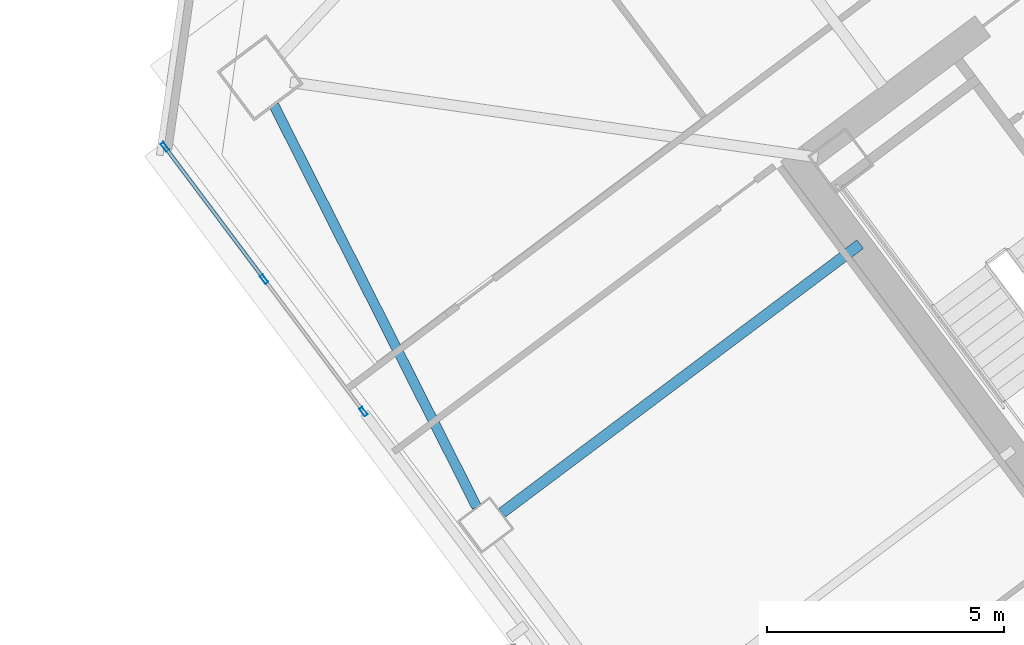
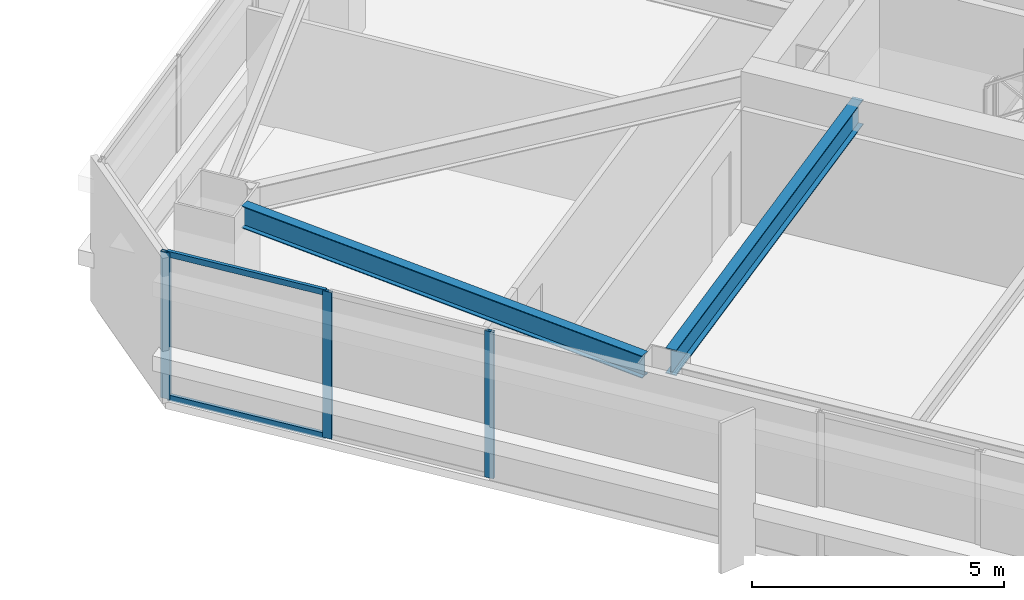
# One storey, part 23 of 48: 5 members, 2 beams, 1 element without a shape of its own.
"""IFC4 building model written with IfcOpenShell, lengths in metres."""

from ifc_helpers import new_model, si_unit, direction, frame, origin, origin_2d, place, context, subcontext, project, spatial, hollow_rectangle, i_section, extrude, material, material_profile, profile_set, type_object, element, aggregate, save


model = new_model("IFC4")

# Units and contexts
model_context = context("Model", 3, precision=1e-05, world=origin(), true_north=direction((0.0, 1.0)))
body_context = subcontext(model_context, "Body", "Model", "MODEL_VIEW")
ifc_project = project(units=[si_unit("LENGTHUNIT", "METRE"), si_unit("AREAUNIT", "SQUARE_METRE"), si_unit("VOLUMEUNIT", "CUBIC_METRE"), si_unit("PLANEANGLEUNIT", "RADIAN"), si_unit("MASSUNIT", "GRAM", prefix="KILO")], contexts=[model_context])

# Site, building, storey
site_placement = place(None, origin())
site = spatial("IfcSite", under=ifc_project, at=site_placement, CompositionType="ELEMENT")
building_placement = place(site_placement, origin())
building = spatial("IfcBuilding", under=site, at=building_placement, Name="Tashvorn Skyway Center", CompositionType="ELEMENT")
storey_placement = place(building_placement, frame((0.0, 0.0, 125.050048828125)))
storey = spatial("IfcBuildingStorey", under=building, at=storey_placement, Name="L33", CompositionType="ELEMENT", Elevation=125.050048828125)

# Beams
ifc_material_1 = material(Name="Steel ASTM A992 Grade 50", Category="steel")
ifc_material_profile_1 = material_profile(ifc_material_1, i_section(OverallWidth=0.22998046875, OverallDepth=0.616943359375, WebThickness=0.01318359375, FlangeThickness=0.022216796875, at=origin_2d()), Name="W24X94")
ifc_profile_set_1 = profile_set([ifc_material_profile_1], Name="Steel ASTM A992 Grade 50")
beam_type_1 = type_object("IfcBeamType", Name="BM-BEAM-W24X94", PredefinedType="BEAM", material=ifc_profile_set_1)
beam_1_placement = place(storey_placement, frame((96.97607421875, 25.98193359375, 3.0615234375), z_axis=(0.799984498661, 0.600020667896, 0.0), x_axis=(-0.600020667896, 0.799984498661, 0.0)))
element("IfcBeam", 1, at=beam_1_placement, inside=storey, type_object=beam_type_1, Name="Tower 2 L33 Primary Floor Girder FC-W1", PredefinedType="BEAM", context=body_context, shape_type="SweptSolid", body=[
    extrude(i_section(OverallWidth=0.22998046875, OverallDepth=0.616943359375, WebThickness=0.01318359375, FlangeThickness=0.022216796875, at=origin_2d()), origin(), (0.0, 0.0, 1.0), 9.449951171875),
])
ifc_material_profile_2 = material_profile(ifc_material_1, i_section(OverallWidth=0.2109375, OverallDepth=0.5390625, WebThickness=0.01171875, FlangeThickness=0.018798828125, at=origin_2d()), Name="W21X73")
ifc_profile_set_2 = profile_set([ifc_material_profile_2], Name="Steel ASTM A992 Grade 50")
beam_type_2 = type_object("IfcBeamType", Name="BM-SPANDREL-W21X73", PredefinedType="SPANDREL", material=ifc_profile_set_2)
beam_2_placement = place(storey_placement, frame((92.170654296875, 34.584228515625, 3.100341796875), z_axis=(0.450613543136, -0.892719124217, 0.0), x_axis=(0.892719124217, 0.450613543136, 0.0)))
element("IfcBeam", 2, at=beam_2_placement, inside=storey, type_object=beam_type_2, Name="Tower 2 L33 Spandrel Beam 10", PredefinedType="SPANDREL", context=body_context, shape_type="SweptSolid", body=[
    extrude(i_section(OverallWidth=0.2109375, OverallDepth=0.5390625, WebThickness=0.01171875, FlangeThickness=0.018798828125, at=origin_2d()), origin(), (0.0, 0.0, 1.0), 9.498291015625),
])

# Curtain wall, members
ifc_material_2 = material(Name="Thermally broken bronze-anodized aluminium 6063-T6", Category="aluminium")
curtain_wall_type = type_object("IfcCurtainWallType", Name="CW-CW-Z3", PredefinedType="NOTDEFINED", material=ifc_material_2)
curtain_wall_placement = place(storey_placement, origin())
curtain_wall = element("IfcCurtainWall", 3, at=curtain_wall_placement, inside=storey, type_object=curtain_wall_type, Name="Tower 2 L33 West Unitised Curtain Wall Glazing Group 3", PredefinedType="NOTDEFINED")
ifc_material_profile_3 = material_profile(ifc_material_2, hollow_rectangle(XDim=0.074951171875, YDim=0.199951171875, WallThickness=0.00439453125, at=origin_2d()), Name="ALU-MULL-75x200")
ifc_profile_set_3 = profile_set([ifc_material_profile_3], Name="Thermally broken bronze-anodized aluminium 6063-T6")
member_type_1 = type_object("IfcMemberType", Name="CWM-CW-Z3", PredefinedType="MULLION", material=ifc_profile_set_3)
member_1_placement = place(storey_placement, frame((94.060302734375, 28.119873046875, 0.0), z_axis=(0.0, 0.0, 1.0), x_axis=(-0.799996599484, -0.600004533995, 0.0)))
member_1 = element("IfcMember", 4, at=member_1_placement, type_object=member_type_1, Name="CW-Z3 mullion 1", PredefinedType="MULLION", context=body_context, shape_type="SweptSolid", body=[
    extrude(hollow_rectangle(XDim=0.074951171875, YDim=0.199951171875, WallThickness=0.00439453125, at=origin_2d()), origin(), (0.0, 0.0, 1.0), 3.550048828125),
])
member_2_placement = place(storey_placement, frame((91.96533203125, 30.912841796875, 0.0), z_axis=(0.0, 0.0, 1.0), x_axis=(-0.799996599484, -0.600004533995, 0.0)))
member_2 = element("IfcMember", 5, at=member_2_placement, type_object=member_type_1, Name="CW-Z3 mullion 2", PredefinedType="MULLION", context=body_context, shape_type="SweptSolid", body=[
    extrude(hollow_rectangle(XDim=0.074951171875, YDim=0.199951171875, WallThickness=0.00439453125, at=origin_2d()), origin(), (0.0, 0.0, 1.0), 3.550048828125),
])
member_3_placement = place(storey_placement, frame((89.87060546875, 33.7060546875, 0.0), z_axis=(0.0, 0.0, 1.0), x_axis=(-0.799996599484, -0.600004533995, 0.0)))
member_3 = element("IfcMember", 6, at=member_3_placement, type_object=member_type_1, Name="CW-Z3 mullion 3", PredefinedType="MULLION", context=body_context, shape_type="SweptSolid", body=[
    extrude(hollow_rectangle(XDim=0.074951171875, YDim=0.199951171875, WallThickness=0.00439453125, at=origin_2d()), origin(), (0.0, 0.0, 1.0), 3.550048828125),
])
ifc_material_profile_4 = material_profile(ifc_material_2, hollow_rectangle(XDim=0.074951171875, YDim=0.139892578125, WallThickness=0.004150390625, at=origin_2d()), Name="ALU-TRAN-75x140")
ifc_profile_set_4 = profile_set([ifc_material_profile_4], Name="Thermally broken bronze-anodized aluminium 6063-T6")
member_type_2 = type_object("IfcMemberType", Name="CWT-CW-Z3", PredefinedType="USERDEFINED", material=ifc_profile_set_4)
member_4_placement = place(storey_placement, frame((91.94287109375, 30.94287109375, 0.037353515625), z_axis=(-0.59998856614, 0.800008575267, 0.0), x_axis=(-0.800008575267, -0.59998856614, 0.0)))
member_4 = element("IfcMember", 7, at=member_4_placement, type_object=member_type_2, Name="CW-Z3 transom 2.1", ObjectType="TRANSOM", PredefinedType="USERDEFINED", context=body_context, shape_type="SweptSolid", body=[
    extrude(hollow_rectangle(XDim=0.074951171875, YDim=0.139892578125, WallThickness=0.004150390625, at=origin_2d()), origin(), (0.0, 0.0, 1.0), 3.41650390625),
])
member_5_placement = place(storey_placement, frame((91.94287109375, 30.94287109375, 3.512451171875), z_axis=(-0.59998856614, 0.800008575267, 0.0), x_axis=(-0.800008575267, -0.59998856614, 0.0)))
member_5 = element("IfcMember", 8, at=member_5_placement, type_object=member_type_2, Name="CW-Z3 transom 2.2", ObjectType="TRANSOM", PredefinedType="USERDEFINED", context=body_context, shape_type="SweptSolid", body=[
    extrude(hollow_rectangle(XDim=0.074951171875, YDim=0.139892578125, WallThickness=0.004150390625, at=origin_2d()), origin(), (0.0, 0.0, 1.0), 3.41650390625),
])
aggregate(curtain_wall, [member_1, member_2, member_3, member_4, member_5])

save(model, "model.ifc")
